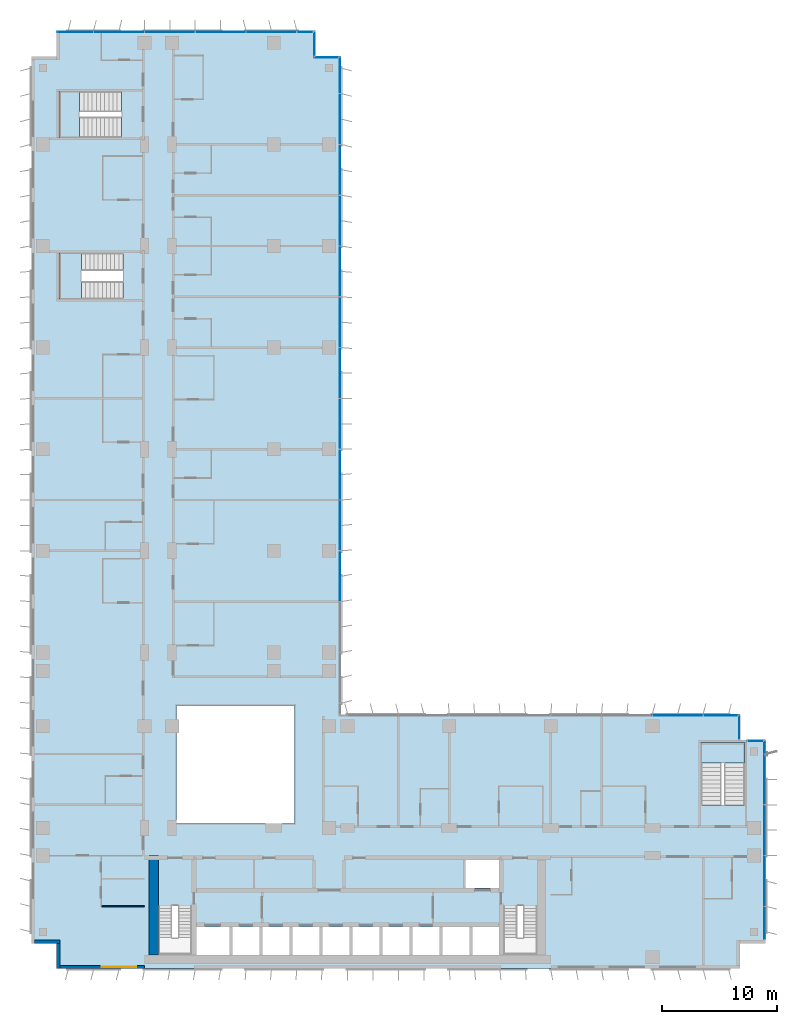
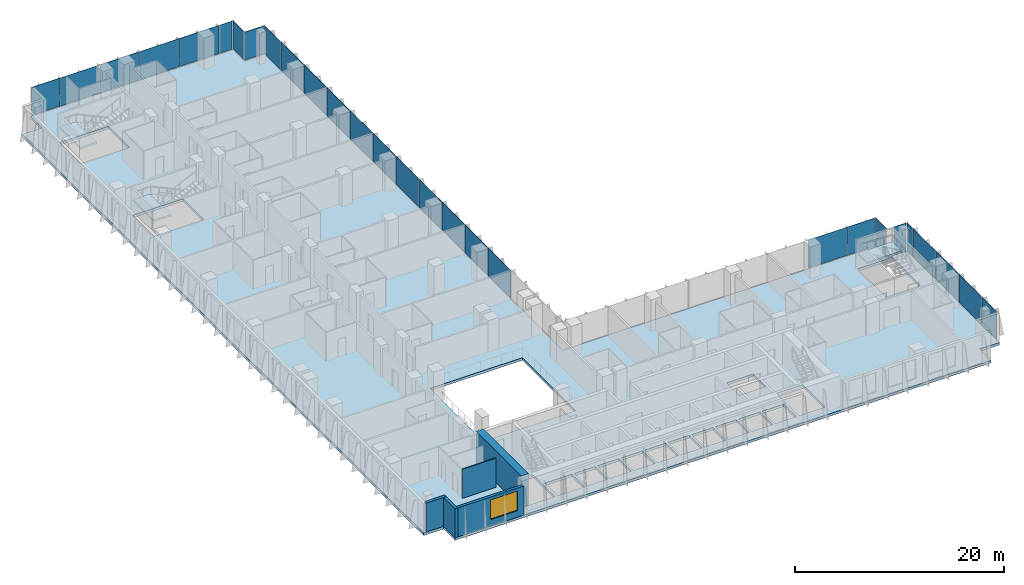
# One storey, part 11 of 22: 28 plates, 5 walls, 4 slabs, 1 window, 1 opening, 11 elements without a shape of their own.
"""IFC4 building model written with IfcOpenShell, lengths in metres."""

import ifcopenshell
import ifcopenshell.guid

model = None  # the IFC model being written
_history = None  # IfcOwnerHistory: only IFC2X3 demands one
_inside = {}  # id of a spatial element -> (the spatial element, [elements in it])
_under = {}  # id of a project, library or spatial element -> (it, [spatial elements below it])
_declared = {}  # id of a project -> (the project, [libraries it declares])
_typed = {}  # id of a type object -> (the type object, [elements of that type])
_made_of = {}  # id of a material, layer set ... -> (it, [elements and type objects made of it])


def new_model(schema):
    """Start an empty IFC model of exactly this schema.

    Asked for "IFC4X3", IfcOpenShell would pick the latest addendum, in which some entities
    have other attributes; the version numbers below select the first issue.
    IFC2X3 requires an IfcOwnerHistory on every rooted entity: one is made here for all.
    """
    global model, _history
    if schema == "IFC4X3":
        model = ifcopenshell.file(schema_version=(4, 3, 0, 0))
    else:
        model = ifcopenshell.file(schema=schema)
    _inside.clear()
    _under.clear()
    _declared.clear()
    _typed.clear()
    _made_of.clear()
    _history = None
    if model.schema == "IFC2X3":
        org = make("IfcOrganization", Name="unknown")
        user = make(
            "IfcPersonAndOrganization",
            ThePerson=make("IfcPerson", FamilyName="unknown"),
            TheOrganization=org,
        )
        app = make(
            "IfcApplication",
            ApplicationDeveloper=org,
            Version="unknown",
            ApplicationFullName="unknown",
            ApplicationIdentifier="unknown",
        )
        _history = make(
            "IfcOwnerHistory",
            OwningUser=user,
            OwningApplication=app,
            ChangeAction="ADDED",
            CreationDate=0,
        )
    return model


def make(cls, **values):
    """One entity of the class cls with the attributes given. An attribute that is None is left unset."""
    return model.create_entity(
        cls, **{name: value for name, value in values.items() if value is not None}
    )


def rooted(cls, **values):
    """An entity with a GlobalId (a new one), such as an element, a storey or a relation."""
    return make(cls, GlobalId=ifcopenshell.guid.new(), OwnerHistory=_history, **values)


def si_unit(unit_type, name, prefix=None):
    """IfcSIUnit, for example si_unit("LENGTHUNIT", "METRE", prefix="MILLI")."""
    return make("IfcSIUnit", UnitType=unit_type, Prefix=prefix, Name=name)


def assignment(units):
    """IfcUnitAssignment: the units of a project."""
    return None if units is None else make("IfcUnitAssignment", Units=units)


def point(xyz):
    """IfcCartesianPoint."""
    return None if xyz is None else make("IfcCartesianPoint", Coordinates=xyz)


def direction(xyz):
    """IfcDirection."""
    return None if xyz is None else make("IfcDirection", DirectionRatios=xyz)


def frame(location, z_axis=None, x_axis=None):
    """IfcAxis2Placement3D, a coordinate frame: its origin and axes. An axis left out is left unset."""
    return make(
        "IfcAxis2Placement3D",
        Location=point(location),
        Axis=direction(z_axis),
        RefDirection=direction(x_axis),
    )


def frame_2d(location, x_axis=None):
    """IfcAxis2Placement2D, a coordinate frame in the plane: its origin and x axis."""
    return make(
        "IfcAxis2Placement2D", Location=point(location), RefDirection=direction(x_axis)
    )


def origin():
    """The frame at (0, 0, 0) with its axes left unset."""
    return frame((0.0, 0.0, 0.0))


def origin_2d():
    """The frame at (0, 0) in the plane with its x axis left unset."""
    return frame_2d((0.0, 0.0))


def place(relative_to, where):
    """IfcLocalPlacement: puts the frame where relative to a parent placement (None: the world)."""
    return make(
        "IfcLocalPlacement", PlacementRelTo=relative_to, RelativePlacement=where
    )


def context(
    kind, dimensions, precision=None, world=None, true_north=None, identifier=None
):
    """IfcGeometricRepresentationContext, for example the 3D "Model" context."""
    return make(
        "IfcGeometricRepresentationContext",
        ContextIdentifier=identifier,
        ContextType=kind,
        CoordinateSpaceDimension=dimensions,
        Precision=precision,
        WorldCoordinateSystem=world,
        TrueNorth=true_north,
    )


def subcontext(parent, identifier, kind, view, scale=None):
    """IfcGeometricRepresentationSubContext, for example "Body" below "Model"."""
    return make(
        "IfcGeometricRepresentationSubContext",
        ContextIdentifier=identifier,
        ContextType=kind,
        ParentContext=parent,
        TargetScale=scale,
        TargetView=view,
    )


def project(units=None, contexts=None):
    """IfcProject with its units and contexts."""
    return rooted(
        "IfcProject",
        Name="project",
        RepresentationContexts=contexts,
        UnitsInContext=assignment(units),
    )


def spatial(cls, under=None, at=None, **own):
    """A site, building, storey or space (cls), placed at a placement, below another one or the project."""
    s = rooted(cls, ObjectPlacement=at, **own)
    if under is not None:
        _under.setdefault(under.id(), (under, []))[1].append(s)
    return s


def polyline(points):
    """IfcPolyline through the points."""
    return make("IfcPolyline", Points=[point(p) for p in points])


def profile(cls, at=None, kind="AREA", **sizes):
    """A parametric profile (cls). Its sizes go by their IFC names, for example OverallWidth=200.0."""
    return make(cls, ProfileType=kind, Position=at, **sizes)


def rectangle(**sizes):
    """IfcRectangleProfileDef."""
    return profile("IfcRectangleProfileDef", **sizes)


def outline(outer, holes=None, kind="AREA"):
    """IfcArbitraryClosedProfileDef: a profile drawn as a closed curve; with holes, ...WithVoids."""
    if holes is None:
        return make("IfcArbitraryClosedProfileDef", ProfileType=kind, OuterCurve=outer)
    return make(
        "IfcArbitraryProfileDefWithVoids",
        ProfileType=kind,
        OuterCurve=outer,
        InnerCurves=holes,
    )


def extrude(swept, where, along, depth):
    """IfcExtrudedAreaSolid: the profile swept, set in the frame where, extruded along a direction by depth."""
    return make(
        "IfcExtrudedAreaSolid",
        SweptArea=swept,
        Position=where,
        ExtrudedDirection=direction(along),
        Depth=depth,
    )


def shape(context_of_items, identifier, shape_type, items):
    """IfcShapeRepresentation: the items that make up one representation, for example the "Body"."""
    return make(
        "IfcShapeRepresentation",
        ContextOfItems=context_of_items,
        RepresentationIdentifier=identifier,
        RepresentationType=shape_type,
        Items=items,
    )


def source(mapping_origin, context_of_items, identifier, shape_type, items):
    """IfcRepresentationMap: a shape defined once, which mapped items show again and again."""
    return make(
        "IfcRepresentationMap",
        MappingOrigin=mapping_origin,
        MappedRepresentation=shape(context_of_items, identifier, shape_type, items),
    )


def transform(
    local_origin,
    x_axis=None,
    y_axis=None,
    z_axis=None,
    scale=None,
    scale2=None,
    scale3=None,
    uniform=True,
):
    """IfcCartesianTransformationOperator3D, or its non-uniform kind. x_axis, y_axis, z_axis: its Axis1, 2, 3."""
    if uniform:
        return make(
            "IfcCartesianTransformationOperator3D",
            Axis1=direction(x_axis),
            Axis2=direction(y_axis),
            LocalOrigin=point(local_origin),
            Scale=scale,
            Axis3=direction(z_axis),
        )
    return make(
        "IfcCartesianTransformationOperator3DnonUniform",
        Axis1=direction(x_axis),
        Axis2=direction(y_axis),
        LocalOrigin=point(local_origin),
        Scale=scale,
        Axis3=direction(z_axis),
        Scale2=scale2,
        Scale3=scale3,
    )


def mapped(mapping_source, mapping_target):
    """IfcMappedItem: shows the shape of a source again, moved by a transform."""
    return make(
        "IfcMappedItem", MappingSource=mapping_source, MappingTarget=mapping_target
    )


def material(Name=None, Category=None):
    """IfcMaterial."""
    return make("IfcMaterial", Name=Name, Category=Category)


def layer(
    of_material, thickness, ventilated=None, Name=None, Category=None, Priority=None
):
    """IfcMaterialLayer: one layer of a wall or slab, of a material (None: an air gap)."""
    return make(
        "IfcMaterialLayer",
        Material=of_material,
        LayerThickness=thickness,
        IsVentilated=ventilated,
        Name=Name,
        Category=Category,
        Priority=Priority,
    )


def layer_set(layers, Name=None):
    """IfcMaterialLayerSet."""
    return make("IfcMaterialLayerSet", MaterialLayers=layers, LayerSetName=Name)


def made_of(thing, what):
    """Note that an element or type object is made of a material, layer set ...; save() writes the relation."""
    if what is not None:
        _made_of.setdefault(what.id(), (what, []))[1].append(thing)
    return thing


def type_object(cls, material=None, **own):
    """A type object (cls), such as IfcWallType, which elements share."""
    return made_of(rooted(cls, **own), material)


def element(
    cls,
    number,
    at=None,
    inside=None,
    cuts=None,
    type_object=None,
    material=None,
    context=None,
    identifier="Body",
    shape_type=None,
    held_by="IfcProductDefinitionShape",
    body=None,
    shapes=None,
    **own,
):
    """One element of the class cls, such as IfcWall. Its Tag is "e" and its number.

    at: its placement. inside: the storey or other place that contains it. cuts: it is an
    opening in that element (IfcRelVoidsElement). A single representation is given by context,
    identifier, shape_type and body (its items); several are given by shapes. held_by: the class
    of the entity that holds the representations. save() writes the other relations.
    """
    e = rooted(cls, Tag="e%d" % number, ObjectPlacement=at, **own)
    if body is not None:
        shapes = [shape(context, identifier, shape_type, body)]
    if shapes is not None:
        e.Representation = make(held_by, Representations=shapes)
    if inside is not None:
        _inside.setdefault(inside.id(), (inside, []))[1].append(e)
    if cuts is not None:
        rooted(
            "IfcRelVoidsElement", RelatingBuildingElement=cuts, RelatedOpeningElement=e
        )
    if type_object is not None:
        _typed.setdefault(type_object.id(), (type_object, []))[1].append(e)
    return made_of(e, material)


def fill(opening, filler):
    """IfcRelFillsElement: the door or window that sits in an opening."""
    return rooted(
        "IfcRelFillsElement",
        RelatingOpeningElement=opening,
        RelatedBuildingElement=filler,
    )


def aggregate(whole, parts):
    """IfcRelAggregates: a whole, such as a stair, and the parts it consists of."""
    return rooted("IfcRelAggregates", RelatingObject=whole, RelatedObjects=parts)


def save(model, path):
    """Write the relations noted so far, then the file.

    IfcRelAggregates (storeys below a building ...), IfcRelContainedInSpatialStructure (elements
    in a storey), IfcRelDefinesByType, IfcRelAssociatesMaterial and IfcRelDeclares: one each for
    every whole, place, type object, material and project.
    """
    for whole, parts in _under.values():
        aggregate(whole, parts)
    for where, things in _inside.values():
        rooted(
            "IfcRelContainedInSpatialStructure",
            RelatedElements=things,
            RelatingStructure=where,
        )
    for kind, things in _typed.values():
        rooted("IfcRelDefinesByType", RelatedObjects=things, RelatingType=kind)
    for what, things in _made_of.values():
        rooted("IfcRelAssociatesMaterial", RelatedObjects=things, RelatingMaterial=what)
    for by, libraries in _declared.values():
        rooted("IfcRelDeclares", RelatingContext=by, RelatedDefinitions=libraries)
    model.write(path)


model = new_model("IFC4")

# Units and contexts
model_context = context("Model", 3, precision=1e-05, world=origin(), true_north=direction((0.0, 1.0)))
body_context = subcontext(model_context, "Body", "Model", "MODEL_VIEW")
ifc_project = project(units=[si_unit("LENGTHUNIT", "METRE"), si_unit("AREAUNIT", "SQUARE_METRE"), si_unit("VOLUMEUNIT", "CUBIC_METRE"), si_unit("PLANEANGLEUNIT", "RADIAN"), si_unit("MASSUNIT", "GRAM", prefix="KILO")], contexts=[model_context])

# Site, building, storey
site_placement = place(None, origin())
site = spatial("IfcSite", under=ifc_project, at=site_placement, CompositionType="ELEMENT")
building_placement = place(site_placement, origin())
building = spatial("IfcBuilding", under=site, at=building_placement, Name="Kemantara Hotel Tower", CompositionType="ELEMENT")
storey_placement = place(building_placement, frame((0.0, 0.0, 94.5)))
storey = spatial("IfcBuildingStorey", under=building, at=storey_placement, Name="L22", CompositionType="ELEMENT", Elevation=94.5)

# Slab
ifc_material_1 = material(Name="Concrete fc 40 MPa", Category="concrete")
ifc_layer_1 = layer(ifc_material_1, 0.300048828125)
ifc_layer_set_1 = layer_set([ifc_layer_1], Name="Concrete fc 40 MPa")
slab_type_1 = type_object("IfcSlabType", Name="POST-TENSIONED FLAT PLATE 300", PredefinedType="FLOOR", material=ifc_layer_set_1)
slab_1_placement = place(storey_placement, frame((0.0, 0.0, -0.300048828125)))
element("IfcSlab", 1, at=slab_1_placement, inside=storey, type_object=slab_type_1, Name="FLOOR SLAB L22", PredefinedType="FLOOR", context=body_context, shape_type="SweptSolid", body=[
    extrude(outline(polyline([(26.800048828125, 79.0), (24.60009765625, 79.0), (24.60009765625, 81.199951171875), (2.199951171875, 81.199951171875), (2.199951171875, 79.0), (0.0, 79.0), (0.0, 2.199951171875), (2.199951171875, 2.199951171875), (2.199951171875, 0.0), (61.39990234375, 0.0), (61.39990234375, 2.199951171875), (63.60009765625, 2.199951171875), (63.60009765625, 19.800048828125), (61.39990234375, 19.800048828125), (61.39990234375, 22.0), (26.800048828125, 22.0), (26.800048828125, 79.0)]), holes=[polyline([(17.175048828125, 1.199951171875), (14.22509765625, 1.199951171875), (14.22509765625, 3.60009765625), (17.175048828125, 3.60009765625), (17.175048828125, 1.199951171875)]), polyline([(19.77490234375, 1.199951171875), (17.425048828125, 1.199951171875), (17.425048828125, 3.60009765625), (19.77490234375, 3.60009765625), (19.77490234375, 1.199951171875)]), polyline([(22.375, 1.199951171875), (20.02490234375, 1.199951171875), (20.02490234375, 3.60009765625), (22.375, 3.60009765625), (22.375, 1.199951171875)]), polyline([(24.97509765625, 1.199951171875), (22.625, 1.199951171875), (22.625, 3.60009765625), (24.97509765625, 3.60009765625), (24.97509765625, 1.199951171875)]), polyline([(27.574951171875, 1.199951171875), (25.22509765625, 1.199951171875), (25.22509765625, 3.60009765625), (27.574951171875, 3.60009765625), (27.574951171875, 1.199951171875)]), polyline([(11.0, 1.199951171875), (11.0, 5.49951171875), (13.89990234375, 5.49951171875), (13.89990234375, 1.199951171875), (11.0, 1.199951171875)]), polyline([(22.800048828125, 12.60009765625), (12.60009765625, 12.60009765625), (12.60009765625, 22.800048828125), (22.800048828125, 22.800048828125), (22.800048828125, 12.60009765625)]), polyline([(2.39990234375, 62.0), (7.949462890625, 62.0), (7.949462890625, 58.0), (2.39990234375, 58.0), (2.39990234375, 62.0)]), polyline([(2.39990234375, 76.0), (7.79931640625, 76.0), (7.79931640625, 72.0), (2.39990234375, 72.0), (2.39990234375, 76.0)]), polyline([(30.175048828125, 1.199951171875), (27.824951171875, 1.199951171875), (27.824951171875, 3.60009765625), (30.175048828125, 3.60009765625), (30.175048828125, 1.199951171875)]), polyline([(32.77490234375, 1.199951171875), (30.425048828125, 1.199951171875), (30.425048828125, 3.60009765625), (32.77490234375, 3.60009765625), (32.77490234375, 1.199951171875)]), polyline([(35.375, 1.199951171875), (33.02490234375, 1.199951171875), (33.02490234375, 3.60009765625), (35.375, 3.60009765625), (35.375, 1.199951171875)]), polyline([(37.97509765625, 1.199951171875), (35.625, 1.199951171875), (35.625, 3.60009765625), (37.97509765625, 3.60009765625), (37.97509765625, 1.199951171875)]), polyline([(40.574951171875, 1.199951171875), (38.22509765625, 1.199951171875), (38.22509765625, 3.60009765625), (40.574951171875, 3.60009765625), (40.574951171875, 1.199951171875)]), polyline([(40.89990234375, 1.199951171875), (40.89990234375, 5.49951171875), (43.800048828125, 5.49951171875), (43.800048828125, 1.199951171875), (40.89990234375, 1.199951171875)]), polyline([(37.625, 7.0), (37.625, 9.39990234375), (40.574951171875, 9.39990234375), (40.574951171875, 7.0), (37.625, 7.0)]), polyline([(61.800048828125, 14.20068359375), (58.0, 14.20068359375), (58.0, 19.60009765625), (61.800048828125, 19.60009765625), (61.800048828125, 14.20068359375)])]), origin(), (0.0, 0.0, 1.0), 0.300048828125),
])

# Stair, slab
stair_type_1 = type_object("IfcStairType", Name="Stair 1800 wide 22 risers of 168 x 360 mm", PredefinedType="HALF_TURN_STAIR", material=ifc_material_1)
stair_1_placement = place(storey_placement, origin())
stair_1 = element("IfcStair", 2, at=stair_1_placement, inside=storey, type_object=stair_type_1, Name="L22 Exit stair ST3", PredefinedType="HALF_TURN_STAIR")
ifc_layer_2 = layer(ifc_material_1, 0.199951171875)
ifc_layer_set_2 = layer_set([ifc_layer_2], Name="Concrete fc 40 MPa")
slab_type_2 = type_object("IfcSlabType", Name="Stair landing 200 mm", PredefinedType="LANDING", material=ifc_layer_set_2)
slab_2_placement = place(storey_placement, frame((0.0, 0.0, 1.64990234375)))
slab_2 = element("IfcSlab", 3, at=slab_2_placement, type_object=slab_type_2, Name="ST3 landing 1", PredefinedType="LANDING", context=body_context, shape_type="SweptSolid", body=[
    extrude(outline(polyline([(61.800048828125, 17.800048828125), (61.800048828125, 19.60009765625), (58.0, 19.60009765625), (58.0, 17.800048828125), (61.800048828125, 17.800048828125)])), origin(), (0.0, 0.0, 1.0), 0.2001953125),
])
aggregate(stair_1, [slab_2])

stair_type_2 = type_object("IfcStairType", Name="Stair 1550 wide 22 risers of 168 x 360 mm", PredefinedType="HALF_TURN_STAIR", material=ifc_material_1)
stair_2_placement = place(storey_placement, origin())
stair_2 = element("IfcStair", 4, at=stair_2_placement, inside=storey, type_object=stair_type_2, Name="L22 Exit stair ST4", PredefinedType="HALF_TURN_STAIR")
slab_3_placement = place(storey_placement, frame((0.0, 0.0, 1.64990234375)))
slab_3 = element("IfcSlab", 5, at=slab_3_placement, type_object=slab_type_2, Name="ST4 landing 1", PredefinedType="LANDING", context=body_context, shape_type="SweptSolid", body=[
    extrude(outline(polyline([(4.35009765625, 62.0), (2.39990234375, 62.0), (2.39990234375, 58.0), (4.35009765625, 58.0), (4.35009765625, 62.0)])), origin(), (0.0, 0.0, 1.0), 0.2001953125),
])
aggregate(stair_2, [slab_3])

stair_3_placement = place(storey_placement, origin())
stair_3 = element("IfcStair", 6, at=stair_3_placement, inside=storey, type_object=stair_type_1, Name="L22 Exit stair ST6", PredefinedType="HALF_TURN_STAIR")
slab_4_placement = place(storey_placement, frame((0.0, 0.0, 1.64990234375)))
slab_4 = element("IfcSlab", 7, at=slab_4_placement, type_object=slab_type_2, Name="ST6 landing 1", PredefinedType="LANDING", context=body_context, shape_type="SweptSolid", body=[
    extrude(outline(polyline([(4.199951171875, 76.0), (2.39990234375, 76.0), (2.39990234375, 72.0), (4.199951171875, 72.0), (4.199951171875, 76.0)])), origin(), (0.0, 0.0, 1.0), 0.2001953125),
])
aggregate(stair_3, [slab_4])

# Curtain wall, plate
ifc_material_2 = material(Name="Low-E tinted double insulated glass 36 mm", Category="glass")
curtain_wall_type = type_object("IfcCurtainWallType", Name="TOWER CURTAIN WALL, FRONT FACES", PredefinedType="USERDEFINED", material=ifc_material_2)
curtain_wall_1_placement = place(storey_placement, origin())
curtain_wall_1 = element("IfcCurtainWall", 8, at=curtain_wall_1_placement, inside=storey, type_object=curtain_wall_type, Name="CW4 L22 T2-R10-1", ObjectType="TOWER CURTAIN WALL, FRONT FACES", PredefinedType="USERDEFINED")
ifc_layer_3 = layer(ifc_material_2, 0.035888671875)
ifc_layer_set_3 = layer_set([ifc_layer_3], Name="Low-E tinted double insulated glass 36 mm")
plate_type = type_object("IfcPlateType", Name="TOWER CURTAIN WALL, FRONT FACES PANEL", PredefinedType="CURTAIN_PANEL", material=ifc_layer_set_3)
shared_shape_1 = source(origin(), body_context, "Body", "SweptSolid", [
    extrude(rectangle(XDim=2.81005859375, YDim=0.035888671875, at=origin_2d()), origin(), (0.0, 0.0, 1.0), 3.280029296875),
])
plate_1_placement = place(storey_placement, frame((63.52490234375, 3.965087890625, 0.1201171875), z_axis=(0.0, 0.0, 1.0), x_axis=(0.0, 1.0, 0.0)))
plate_1 = element("IfcPlate", 9, at=plate_1_placement, type_object=plate_type, Name="CW4 glass panel T2-R10-1.1", PredefinedType="CURTAIN_PANEL", context=body_context, shape_type="MappedRepresentation", body=[
    mapped(shared_shape_1, transform((0.0, 0.0, 0.0))),
])

# Curtain wall, plates
curtain_wall_2_placement = place(storey_placement, origin())
curtain_wall_2 = element("IfcCurtainWall", 10, at=curtain_wall_2_placement, inside=storey, type_object=curtain_wall_type, Name="CW4 L22 T2-R01-1", ObjectType="TOWER CURTAIN WALL, FRONT FACES", PredefinedType="USERDEFINED")
shared_shape_2 = source(origin(), body_context, "Body", "SweptSolid", [
    extrude(rectangle(XDim=4.340087890625, YDim=0.035888671875, at=origin_2d()), origin(), (0.0, 0.0, 1.0), 3.280029296875),
])
plate_2_placement = place(storey_placement, frame((20.800048828125, 81.125, 0.1201171875), z_axis=(0.0, 0.0, 1.0), x_axis=(-1.0, 0.0, 0.0)))
plate_2 = element("IfcPlate", 11, at=plate_2_placement, type_object=plate_type, Name="CW4 glass panel T2-R01-1.2", PredefinedType="CURTAIN_PANEL", context=body_context, shape_type="MappedRepresentation", body=[
    mapped(shared_shape_2, transform((0.0, 0.0, 0.0))),
])
plate_3_placement = place(storey_placement, frame((16.39990234375, 81.125, 0.1201171875), z_axis=(0.0, 0.0, 1.0), x_axis=(-1.0, 0.0, 0.0)))
plate_3 = element("IfcPlate", 12, at=plate_3_placement, type_object=plate_type, Name="CW4 glass panel T2-R01-1.3", PredefinedType="CURTAIN_PANEL", context=body_context, shape_type="MappedRepresentation", body=[
    mapped(shared_shape_2, transform((0.0, 0.0, 0.0))),
])
plate_4_placement = place(storey_placement, frame((12.0, 81.125, 0.1201171875), z_axis=(0.0, 0.0, 1.0), x_axis=(-1.0, 0.0, 0.0)))
plate_4 = element("IfcPlate", 13, at=plate_4_placement, type_object=plate_type, Name="CW4 glass panel T2-R01-1.4", PredefinedType="CURTAIN_PANEL", context=body_context, shape_type="MappedRepresentation", body=[
    mapped(shared_shape_2, transform((0.0, 0.0, 0.0))),
])
plate_5_placement = place(storey_placement, frame((7.60009765625, 81.125, 0.1201171875), z_axis=(0.0, 0.0, 1.0), x_axis=(-1.0, 0.0, 0.0)))
plate_5 = element("IfcPlate", 14, at=plate_5_placement, type_object=plate_type, Name="CW4 glass panel T2-R01-1.5", PredefinedType="CURTAIN_PANEL", context=body_context, shape_type="MappedRepresentation", body=[
    mapped(shared_shape_2, transform((0.0, 0.0, 0.0))),
])

# Plate
plate_6_placement = place(storey_placement, frame((63.52490234375, 7.60009765625, 0.1201171875), z_axis=(0.0, 0.0, 1.0), x_axis=(0.0, 1.0, 0.0)))
plate_6 = element("IfcPlate", 15, at=plate_6_placement, type_object=plate_type, Name="CW4 glass panel T2-R10-1.2", PredefinedType="CURTAIN_PANEL", context=body_context, shape_type="MappedRepresentation", body=[
    mapped(shared_shape_2, transform((0.0, 0.0, 0.0))),
])

plate_7_placement = place(storey_placement, frame((63.52490234375, 12.0, 0.1201171875), z_axis=(0.0, 0.0, 1.0), x_axis=(0.0, 1.0, 0.0)))
plate_7 = element("IfcPlate", 16, at=plate_7_placement, type_object=plate_type, Name="CW4 glass panel T2-R10-1.3", PredefinedType="CURTAIN_PANEL", context=body_context, shape_type="MappedRepresentation", body=[
    mapped(shared_shape_2, transform((0.0, 0.0, 0.0))),
])

plate_8_placement = place(storey_placement, frame((63.52490234375, 16.39990234375, 0.1201171875), z_axis=(0.0, 0.0, 1.0), x_axis=(0.0, 1.0, 0.0)))
plate_8 = element("IfcPlate", 17, at=plate_8_placement, type_object=plate_type, Name="CW4 glass panel T2-R10-1.4", PredefinedType="CURTAIN_PANEL", context=body_context, shape_type="MappedRepresentation", body=[
    mapped(shared_shape_2, transform((0.0, 0.0, 0.0))),
])

# Curtain wall, plate
curtain_wall_3_placement = place(storey_placement, origin())
curtain_wall_3 = element("IfcCurtainWall", 18, at=curtain_wall_3_placement, inside=storey, type_object=curtain_wall_type, Name="CW4 L22 T2-R13-1", ObjectType="TOWER CURTAIN WALL, FRONT FACES", PredefinedType="USERDEFINED")
plate_9_placement = place(storey_placement, frame((56.0, 21.925048828125, 0.1201171875), z_axis=(0.0, 0.0, 1.0), x_axis=(-1.0, 0.0, 0.0)))
plate_9 = element("IfcPlate", 19, at=plate_9_placement, type_object=plate_type, Name="CW4 glass panel T2-R13-1.2", PredefinedType="CURTAIN_PANEL", context=body_context, shape_type="MappedRepresentation", body=[
    mapped(shared_shape_2, transform((0.0, 0.0, 0.0))),
])

# Curtain wall, plates
curtain_wall_4_placement = place(storey_placement, origin())
curtain_wall_4 = element("IfcCurtainWall", 20, at=curtain_wall_4_placement, inside=storey, type_object=curtain_wall_type, Name="CW4 L22 T2-R14-1", ObjectType="TOWER CURTAIN WALL, FRONT FACES", PredefinedType="USERDEFINED")
plate_10_placement = place(storey_placement, frame((26.72509765625, 34.0, 0.1201171875), z_axis=(0.0, 0.0, 1.0), x_axis=(0.0, 1.0, 0.0)))
plate_10 = element("IfcPlate", 21, at=plate_10_placement, type_object=plate_type, Name="CW4 glass panel T2-R14-1.4", PredefinedType="CURTAIN_PANEL", context=body_context, shape_type="MappedRepresentation", body=[
    mapped(shared_shape_2, transform((0.0, 0.0, 0.0))),
])
plate_11_placement = place(storey_placement, frame((26.72509765625, 38.39990234375, 0.1201171875), z_axis=(0.0, 0.0, 1.0), x_axis=(0.0, 1.0, 0.0)))
plate_11 = element("IfcPlate", 22, at=plate_11_placement, type_object=plate_type, Name="CW4 glass panel T2-R14-1.5", PredefinedType="CURTAIN_PANEL", context=body_context, shape_type="MappedRepresentation", body=[
    mapped(shared_shape_2, transform((0.0, 0.0, 0.0))),
])
plate_12_placement = place(storey_placement, frame((26.72509765625, 42.800048828125, 0.1201171875), z_axis=(0.0, 0.0, 1.0), x_axis=(0.0, 1.0, 0.0)))
plate_12 = element("IfcPlate", 23, at=plate_12_placement, type_object=plate_type, Name="CW4 glass panel T2-R14-1.6", PredefinedType="CURTAIN_PANEL", context=body_context, shape_type="MappedRepresentation", body=[
    mapped(shared_shape_2, transform((0.0, 0.0, 0.0))),
])
plate_13_placement = place(storey_placement, frame((26.72509765625, 47.199951171875, 0.1201171875), z_axis=(0.0, 0.0, 1.0), x_axis=(0.0, 1.0, 0.0)))
plate_13 = element("IfcPlate", 24, at=plate_13_placement, type_object=plate_type, Name="CW4 glass panel T2-R14-1.7", PredefinedType="CURTAIN_PANEL", context=body_context, shape_type="MappedRepresentation", body=[
    mapped(shared_shape_2, transform((0.0, 0.0, 0.0))),
])
plate_14_placement = place(storey_placement, frame((26.72509765625, 51.60009765625, 0.1201171875), z_axis=(0.0, 0.0, 1.0), x_axis=(0.0, 1.0, 0.0)))
plate_14 = element("IfcPlate", 25, at=plate_14_placement, type_object=plate_type, Name="CW4 glass panel T2-R14-1.8", PredefinedType="CURTAIN_PANEL", context=body_context, shape_type="MappedRepresentation", body=[
    mapped(shared_shape_2, transform((0.0, 0.0, 0.0))),
])
plate_15_placement = place(storey_placement, frame((26.72509765625, 56.0, 0.1201171875), z_axis=(0.0, 0.0, 1.0), x_axis=(0.0, 1.0, 0.0)))
plate_15 = element("IfcPlate", 26, at=plate_15_placement, type_object=plate_type, Name="CW4 glass panel T2-R14-1.9", PredefinedType="CURTAIN_PANEL", context=body_context, shape_type="MappedRepresentation", body=[
    mapped(shared_shape_2, transform((0.0, 0.0, 0.0))),
])
plate_16_placement = place(storey_placement, frame((26.72509765625, 60.39990234375, 0.1201171875), z_axis=(0.0, 0.0, 1.0), x_axis=(0.0, 1.0, 0.0)))
plate_16 = element("IfcPlate", 27, at=plate_16_placement, type_object=plate_type, Name="CW4 glass panel T2-R14-1.10", PredefinedType="CURTAIN_PANEL", context=body_context, shape_type="MappedRepresentation", body=[
    mapped(shared_shape_2, transform((0.0, 0.0, 0.0))),
])
plate_17_placement = place(storey_placement, frame((26.72509765625, 64.800048828125, 0.1201171875), z_axis=(0.0, 0.0, 1.0), x_axis=(0.0, 1.0, 0.0)))
plate_17 = element("IfcPlate", 28, at=plate_17_placement, type_object=plate_type, Name="CW4 glass panel T2-R14-1.11", PredefinedType="CURTAIN_PANEL", context=body_context, shape_type="MappedRepresentation", body=[
    mapped(shared_shape_2, transform((0.0, 0.0, 0.0))),
])
plate_18_placement = place(storey_placement, frame((26.72509765625, 69.199951171875, 0.1201171875), z_axis=(0.0, 0.0, 1.0), x_axis=(0.0, 1.0, 0.0)))
plate_18 = element("IfcPlate", 29, at=plate_18_placement, type_object=plate_type, Name="CW4 glass panel T2-R14-1.12", PredefinedType="CURTAIN_PANEL", context=body_context, shape_type="MappedRepresentation", body=[
    mapped(shared_shape_2, transform((0.0, 0.0, 0.0))),
])
plate_19_placement = place(storey_placement, frame((26.72509765625, 73.60009765625, 0.1201171875), z_axis=(0.0, 0.0, 1.0), x_axis=(0.0, 1.0, 0.0)))
plate_19 = element("IfcPlate", 30, at=plate_19_placement, type_object=plate_type, Name="CW4 glass panel T2-R14-1.13", PredefinedType="CURTAIN_PANEL", context=body_context, shape_type="MappedRepresentation", body=[
    mapped(shared_shape_2, transform((0.0, 0.0, 0.0))),
])

# Plate
shared_shape_3 = source(origin(), body_context, "Body", "SweptSolid", [
    extrude(rectangle(XDim=1.360107421875, YDim=0.035888671875, at=origin_2d()), origin(), (0.0, 0.0, 1.0), 3.280029296875),
])
plate_20_placement = place(storey_placement, frame((23.7099609375, 81.125, 0.1201171875), z_axis=(0.0, 0.0, 1.0), x_axis=(-1.0, 0.0, 0.0)))
plate_20 = element("IfcPlate", 31, at=plate_20_placement, type_object=plate_type, Name="CW4 glass panel T2-R01-1.1", PredefinedType="CURTAIN_PANEL", context=body_context, shape_type="MappedRepresentation", body=[
    mapped(shared_shape_3, transform((0.0, 0.0, 0.0))),
])

shared_shape_4 = source(origin(), body_context, "Body", "SweptSolid", [
    extrude(rectangle(XDim=3.110107421875, YDim=0.035888671875, at=origin_2d()), origin(), (0.0, 0.0, 1.0), 3.280029296875),
])
plate_21_placement = place(storey_placement, frame((3.81494140625, 81.125, 0.1201171875), z_axis=(0.0, 0.0, 1.0), x_axis=(-1.0, 0.0, 0.0)))
plate_21 = element("IfcPlate", 32, at=plate_21_placement, type_object=plate_type, Name="CW4 glass panel T2-R01-1.6", PredefinedType="CURTAIN_PANEL", context=body_context, shape_type="MappedRepresentation", body=[
    mapped(shared_shape_4, transform((0.0, 0.0, 0.0))),
])

aggregate(curtain_wall_2, [plate_20, plate_2, plate_3, plate_4, plate_5, plate_21])

plate_22_placement = place(storey_placement, frame((26.72509765625, 77.385009765625, 0.1201171875), z_axis=(0.0, 0.0, 1.0), x_axis=(0.0, 1.0, 0.0)))
plate_22 = element("IfcPlate", 33, at=plate_22_placement, type_object=plate_type, Name="CW4 glass panel T2-R14-1.14", PredefinedType="CURTAIN_PANEL", context=body_context, shape_type="MappedRepresentation", body=[
    mapped(shared_shape_4, transform((0.0, 0.0, 0.0))),
])

aggregate(curtain_wall_4, [plate_10, plate_11, plate_12, plate_13, plate_14, plate_15, plate_16, plate_17, plate_18, plate_19, plate_22])

# Curtain wall, plate
curtain_wall_5_placement = place(storey_placement, origin())
curtain_wall_5 = element("IfcCurtainWall", 34, at=curtain_wall_5_placement, inside=storey, type_object=curtain_wall_type, Name="CW4 L22 T2-R00-1", ObjectType="TOWER CURTAIN WALL, FRONT FACES", PredefinedType="USERDEFINED")
shared_shape_5 = source(origin(), body_context, "Body", "SweptSolid", [
    extrude(rectangle(XDim=2.080078125, YDim=0.035888671875, at=origin_2d()), origin(), (0.0, 0.0, 1.0), 3.280029296875),
])
plate_23_placement = place(storey_placement, frame((24.52490234375, 80.10009765625, 0.1201171875), z_axis=(0.0, 0.0, 1.0), x_axis=(0.0, 1.0, 0.0)))
plate_23 = element("IfcPlate", 35, at=plate_23_placement, type_object=plate_type, Name="CW4 glass panel T2-R00-1.1", PredefinedType="CURTAIN_PANEL", context=body_context, shape_type="MappedRepresentation", body=[
    mapped(shared_shape_5, transform((0.0, 0.0, 0.0))),
])
aggregate(curtain_wall_5, [plate_23])

curtain_wall_6_placement = place(storey_placement, origin())
curtain_wall_6 = element("IfcCurtainWall", 36, at=curtain_wall_6_placement, inside=storey, type_object=curtain_wall_type, Name="CW4 L22 T2-R12-1", ObjectType="TOWER CURTAIN WALL, FRONT FACES", PredefinedType="USERDEFINED")
plate_24_placement = place(storey_placement, frame((61.324951171875, 20.89990234375, 0.1201171875), z_axis=(0.0, 0.0, 1.0), x_axis=(0.0, 1.0, 0.0)))
plate_24 = element("IfcPlate", 37, at=plate_24_placement, type_object=plate_type, Name="CW4 glass panel T2-R12-1.1", PredefinedType="CURTAIN_PANEL", context=body_context, shape_type="MappedRepresentation", body=[
    mapped(shared_shape_5, transform((0.0, 0.0, 0.0))),
])
aggregate(curtain_wall_6, [plate_24])

curtain_wall_7_placement = place(storey_placement, origin())
curtain_wall_7 = element("IfcCurtainWall", 38, at=curtain_wall_7_placement, inside=storey, type_object=curtain_wall_type, Name="CW4 L22 T2-R15-1", ObjectType="TOWER CURTAIN WALL, FRONT FACES", PredefinedType="USERDEFINED")
plate_25_placement = place(storey_placement, frame((25.550048828125, 78.925048828125, 0.1201171875), z_axis=(0.0, 0.0, 1.0), x_axis=(-1.0, 0.0, 0.0)))
plate_25 = element("IfcPlate", 39, at=plate_25_placement, type_object=plate_type, Name="CW4 glass panel T2-R15-1.1", PredefinedType="CURTAIN_PANEL", context=body_context, shape_type="MappedRepresentation", body=[
    mapped(shared_shape_5, transform((0.0, 0.0, 0.0))),
])
aggregate(curtain_wall_7, [plate_25])

# Plate
shared_shape_6 = source(origin(), body_context, "Body", "SweptSolid", [
    extrude(rectangle(XDim=2.9599609375, YDim=0.035888671875, at=origin_2d()), origin(), (0.0, 0.0, 1.0), 3.280029296875),
])
plate_26_placement = place(storey_placement, frame((59.7099609375, 21.925048828125, 0.1201171875), z_axis=(0.0, 0.0, 1.0), x_axis=(-1.0, 0.0, 0.0)))
plate_26 = element("IfcPlate", 40, at=plate_26_placement, type_object=plate_type, Name="CW4 glass panel T2-R13-1.1", PredefinedType="CURTAIN_PANEL", context=body_context, shape_type="MappedRepresentation", body=[
    mapped(shared_shape_6, transform((0.0, 0.0, 0.0))),
])

aggregate(curtain_wall_3, [plate_26, plate_9])

shared_shape_7 = source(origin(), body_context, "Body", "SweptSolid", [
    extrude(rectangle(XDim=1.110107421875, YDim=0.035888671875, at=origin_2d()), origin(), (0.0, 0.0, 1.0), 3.280029296875),
])
plate_27_placement = place(storey_placement, frame((63.52490234375, 19.18505859375, 0.1201171875), z_axis=(0.0, 0.0, 1.0), x_axis=(0.0, 1.0, 0.0)))
plate_27 = element("IfcPlate", 41, at=plate_27_placement, type_object=plate_type, Name="CW4 glass panel T2-R10-1.5", PredefinedType="CURTAIN_PANEL", context=body_context, shape_type="MappedRepresentation", body=[
    mapped(shared_shape_7, transform((0.0, 0.0, 0.0))),
])

aggregate(curtain_wall_1, [plate_1, plate_6, plate_7, plate_8, plate_27])

# Curtain wall, plate
curtain_wall_8_placement = place(storey_placement, origin())
curtain_wall_8 = element("IfcCurtainWall", 42, at=curtain_wall_8_placement, inside=storey, type_object=curtain_wall_type, Name="CW4 L22 T2-R11-1", ObjectType="TOWER CURTAIN WALL, FRONT FACES", PredefinedType="USERDEFINED")
shared_shape_8 = source(origin(), body_context, "Body", "SweptSolid", [
    extrude(rectangle(XDim=1.330078125, YDim=0.035888671875, at=origin_2d()), origin(), (0.0, 0.0, 1.0), 3.280029296875),
])
plate_28_placement = place(storey_placement, frame((62.72509765625, 19.72509765625, 0.1201171875), z_axis=(0.0, 0.0, 1.0), x_axis=(-1.0, 0.0, 0.0)))
plate_28 = element("IfcPlate", 43, at=plate_28_placement, type_object=plate_type, Name="CW4 glass panel T2-R11-1.1", PredefinedType="CURTAIN_PANEL", context=body_context, shape_type="MappedRepresentation", body=[
    mapped(shared_shape_8, transform((0.0, 0.0, 0.0))),
])
aggregate(curtain_wall_8, [plate_28])

# Walls
ifc_material_3 = material(Name="Bronze anodised aluminium cladding on insulated steel stud wall", Category="steel")
ifc_layer_4 = layer(ifc_material_3, 0.300048828125)
ifc_layer_set_4 = layer_set([ifc_layer_4], Name="Bronze anodised aluminium cladding on insulated steel stud wall")
wall_type_1 = type_object("IfcWallType", Name="BRONZE METAL-CLAD EXTERNAL WALL 300", PredefinedType="STANDARD", material=ifc_layer_set_4)
for number, where, z_axis, x_axis, name in (
    (44, (0.300048828125, 2.35009765625, 0.0), (0.0, 0.0, 1.0), (1.0, 0.0, 0.0), "EXTERNAL WALL L22 T2-R05"),
    (45, (2.35009765625, 2.199951171875, 0.0), (0.0, 0.0, 1.0), (0.0, -1.0, 0.0), "EXTERNAL WALL L22 T2-R06"),
):
    element("IfcWall", number, at=place(storey_placement, frame(where, z_axis=z_axis, x_axis=x_axis)), inside=storey, type_object=wall_type_1, Name=name, PredefinedType="STANDARD", context=body_context, shape_type="SweptSolid", body=[
        extrude(rectangle(XDim=2.199951171875, YDim=0.300048828125, at=frame_2d((1.10009765625, 0.0))), origin(), (0.0, 0.0, 1.0), 3.39990234375),
    ])

# Wall, opening, window
wall_1_placement = place(storey_placement, frame((2.5, 0.14990234375, 0.0), z_axis=(0.0, 0.0, 1.0), x_axis=(1.0, 0.0, 0.0)))
wall_1 = element("IfcWall", 46, at=wall_1_placement, inside=storey, type_object=wall_type_1, Name="EXTERNAL WALL L22 T2-R07", PredefinedType="STANDARD", context=body_context, shape_type="SweptSolid", body=[
    extrude(rectangle(XDim=7.300048828125, YDim=0.300048828125, at=frame_2d((3.64990234375, 0.0))), origin(), (0.0, 0.0, 1.0), 3.39990234375),
])
opening_placement = place(wall_1_placement, frame((3.60009765625, 0.0, 0.75)))
opening = element("IfcOpeningElement", 47, at=opening_placement, cuts=wall_1, Name="Opening W1", PredefinedType="OPENING", context=body_context, shape_type="SweptSolid", body=[
    extrude(rectangle(XDim=3.0, YDim=2.300048828125, at=frame_2d((1.5, 1.14990234375))), frame((0.0, 0.159912109375, 0.0), z_axis=(0.0, -1.0, 0.0), x_axis=(1.0, 0.0, 0.0)), (0.0, 0.0, 1.0), 0.320068359375),
])
ifc_material_4 = material(Name="Low-E tinted double insulated glass in bronze anodised aluminium frame", Category="aluminium")
window_type = type_object("IfcWindowType", Name="CHICAGO WINDOW, TRIPLE PANEL 3000x2300", PartitioningType="TRIPLE_PANEL_VERTICAL", PredefinedType="WINDOW", material=ifc_material_4)
window_placement = place(opening_placement, origin())
window = element("IfcWindow", 48, at=window_placement, inside=storey, type_object=window_type, Name="CHICAGO WINDOW L22 T2-R07-54", OverallHeight=2.300048828125, OverallWidth=3.0, PartitioningType="SINGLE_PANEL", PredefinedType="WINDOW", context=body_context, shape_type="SweptSolid", body=[
    extrude(rectangle(XDim=3.0, YDim=2.300048828125, at=frame_2d((1.5, 1.14990234375))), frame((0.0, 0.030029296875, 0.0), z_axis=(0.0, -1.0, 0.0), x_axis=(1.0, 0.0, 0.0)), (0.0, 0.0, 1.0), 0.06005859375),
])
fill(opening, window)

# Walls
ifc_material_5 = material(Name="Concrete fc 70 MPa", Category="concrete")
ifc_layer_5 = layer(ifc_material_5, 0.800048828125)
ifc_layer_set_5 = layer_set([ifc_layer_5], Name="Concrete fc 70 MPa")
wall_type_2 = type_object("IfcWallType", Name="CORE WALL 800 FC70", PredefinedType="SHEAR", material=ifc_layer_set_5)
wall_2_placement = place(storey_placement, frame((10.60009765625, 1.199951171875, 0.0), z_axis=(0.0, 0.0, 1.0), x_axis=(0.0, 1.0, 0.0)))
element("IfcWall", 49, at=wall_2_placement, inside=storey, type_object=wall_type_2, Name="CORE WALL CW-W", PredefinedType="SHEAR", context=body_context, shape_type="SweptSolid", body=[
    extrude(rectangle(XDim=8.60009765625, YDim=0.800048828125, at=frame_2d((4.300048828125, 0.0))), origin(), (0.0, 0.0, 1.0), 3.699951171875),
])
ifc_material_6 = material(Name="Gypsum board partition on steel studs, 100 mm", Category="steel")
ifc_layer_6 = layer(ifc_material_6, 0.10009765625)
ifc_layer_set_6 = layer_set([ifc_layer_6], Name="Gypsum board partition on steel studs, 100 mm")
wall_type_3 = type_object("IfcWallType", Name="ROOM PARTITION 100", PredefinedType="PARTITIONING", material=ifc_layer_set_6)
wall_3_placement = place(storey_placement, frame((6.10009765625, 5.39990234375, 0.0), z_axis=(0.0, 0.0, 1.0), x_axis=(1.0, 0.0, 0.0)))
element("IfcWall", 50, at=wall_3_placement, inside=storey, type_object=wall_type_3, Name="ROOM PARTITION 100 068", PredefinedType="PARTITIONING", context=body_context, shape_type="SweptSolid", body=[
    extrude(rectangle(XDim=3.69970703125, YDim=0.10009765625, at=frame_2d((1.849853515625, 0.0))), origin(), (0.0, 0.0, 1.0), 3.39990234375),
])

save(model, "model.ifc")
